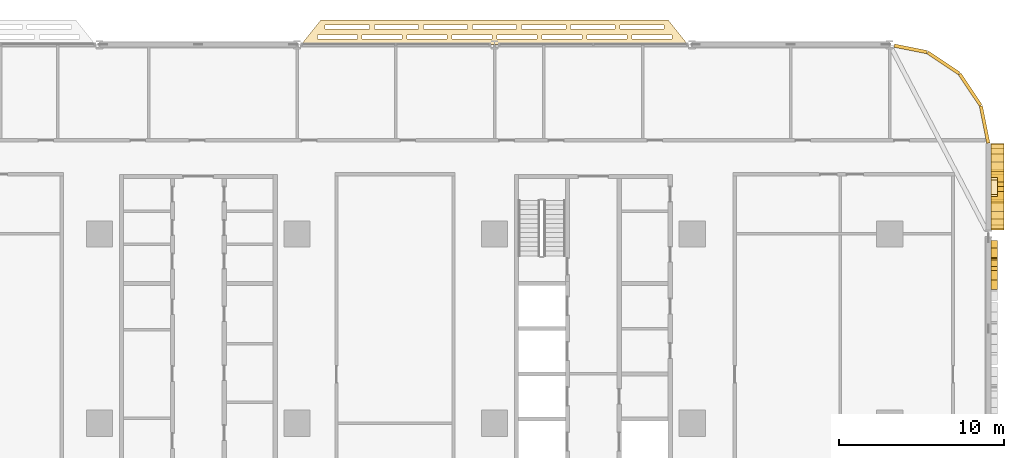
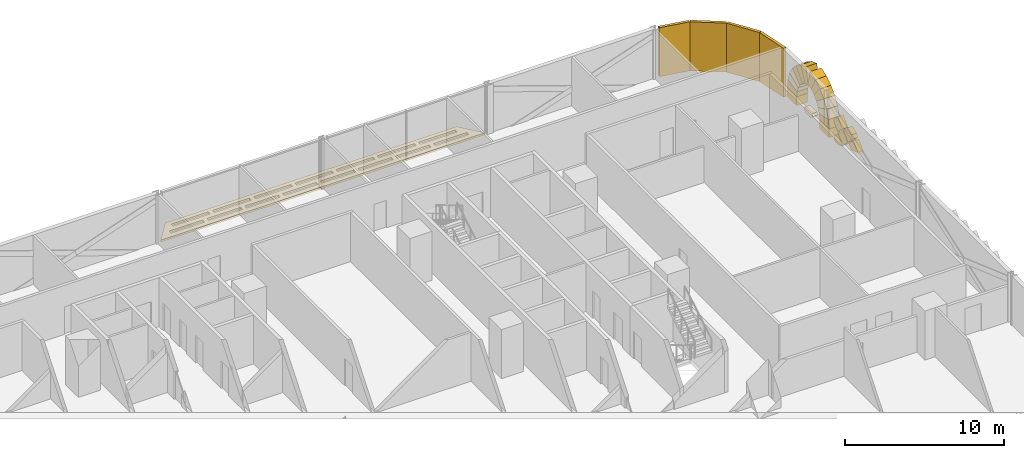
# One storey, part 29 of 29: 25 coverings.
"""IFC4 building model written with IfcOpenShell, lengths in metres."""

from ifc_helpers import new_model, si_unit, direction, frame, origin, origin_2d, place, context, subcontext, project, spatial, polyline, rectangle, outline, extrude, material, layer, layer_set, type_object, element, save


model = new_model("IFC4")

# Units and contexts
model_context = context("Model", 3, precision=1e-05, world=origin(), true_north=direction((0.0, 1.0)))
body_context = subcontext(model_context, "Body", "Model", "MODEL_VIEW")
ifc_project = project(units=[si_unit("LENGTHUNIT", "METRE"), si_unit("AREAUNIT", "SQUARE_METRE"), si_unit("VOLUMEUNIT", "CUBIC_METRE"), si_unit("PLANEANGLEUNIT", "RADIAN"), si_unit("MASSUNIT", "GRAM", prefix="KILO")], contexts=[model_context])

# Site, building, storey
site_placement = place(None, origin())
site = spatial("IfcSite", under=ifc_project, at=site_placement, CompositionType="ELEMENT")
building_placement = place(site_placement, origin())
building = spatial("IfcBuilding", under=site, at=building_placement, Name="Mahtab Terrace Research Tower", CompositionType="ELEMENT")
storey_placement = place(building_placement, frame((0.0, 0.0, 37.300048828125)))
storey = spatial("IfcBuildingStorey", under=building, at=storey_placement, Name="L08", CompositionType="ELEMENT", Elevation=37.300048828125)

# Coverings
ifc_material_1 = material(Name="Black aluminium cladding panel", Category="aluminium")
ifc_layer_1 = layer(ifc_material_1, 0.199951171875)
ifc_layer_set_1 = layer_set([ifc_layer_1], Name="Black metal corner cladding 200")
covering_type_1 = type_object("IfcCoveringType", Name="Black metal corner cladding 200", PredefinedType="CLADDING", material=ifc_layer_set_1)
for number, where, z_axis, x_axis, name in (
    (1, (46.89306640625, 20.26953125, 0.0), (0.0, 0.0, 1.0), (-0.555291490808, 0.831655794326, 0.0), "Corner cladding L08 0"),
    (2, (45.26953125, 21.89306640625, 0.0), (0.0, 0.0, 1.0), (-0.831655794326, 0.555291490808, 0.0), "Corner cladding L08 1"),
):
    element("IfcCovering", number, at=place(storey_placement, frame(where, z_axis=z_axis, x_axis=x_axis)), inside=storey, type_object=covering_type_1, Name=name, PredefinedType="CLADDING", context=body_context, shape_type="SweptSolid", body=[
        extrude(rectangle(XDim=2.30126953125, YDim=0.199951171875, at=origin_2d()), origin(), (0.0, 0.0, 1.0), 3.75),
    ])
covering_1_placement = place(storey_placement, frame((43.28173828125, 22.744873046875, 0.0), z_axis=(0.0, 0.0, 1.0), x_axis=(-0.980760981187, 0.195212442692, 0.0)))
element("IfcCovering", 3, at=covering_1_placement, inside=storey, type_object=covering_type_1, Name="Corner cladding L08 2", PredefinedType="CLADDING", context=body_context, shape_type="SweptSolid", body=[
    extrude(rectangle(XDim=2.0283203125, YDim=0.199951171875, at=origin_2d()), origin(), (0.0, 0.0, 1.0), 3.75),
])
covering_2_placement = place(storey_placement, frame((47.771484375, 18.14794921875, 0.0), z_axis=(0.0, 0.0, 1.0), x_axis=(-0.195212442692, 0.980760981187, 0.0)))
element("IfcCovering", 4, at=covering_2_placement, inside=storey, type_object=covering_type_1, Name="Corner cladding L08 37", PredefinedType="CLADDING", context=body_context, shape_type="SweptSolid", body=[
    extrude(rectangle(XDim=2.30126953125, YDim=0.199951171875, at=origin_2d()), origin(), (0.0, 0.0, 1.0), 3.75),
])
ifc_material_2 = material(Name="Black anodised aluminium", Category="aluminium")
ifc_layer_2 = layer(ifc_material_2, 0.14990234375)
ifc_layer_set_2 = layer_set([ifc_layer_2], Name="Horizontal sunshade band")
covering_type_2 = type_object("IfcCoveringType", Name="Horizontal sunshade band", PredefinedType="CLADDING", material=ifc_layer_set_2)
covering_3_placement = place(storey_placement, frame((0.0, 0.0, -0.150146484375)))
element("IfcCovering", 5, at=covering_3_placement, inside=storey, type_object=covering_type_2, Name="Sunshade band L08 4", PredefinedType="CLADDING", context=body_context, shape_type="SweptSolid", body=[
    extrude(outline(polyline([(29.7509765625, 23.0), (6.2490234375, 23.0), (7.448974609375, 24.5), (28.551025390625, 24.5), (29.7509765625, 23.0)]), holes=[polyline([(28.77099609375, 23.35009765625), (26.341064453125, 23.35009765625), (26.341064453125, 23.60009765625), (28.77099609375, 23.60009765625), (28.77099609375, 23.35009765625)]), polyline([(26.041015625, 23.35009765625), (23.611083984375, 23.35009765625), (23.611083984375, 23.60009765625), (26.041015625, 23.60009765625), (26.041015625, 23.35009765625)]), polyline([(23.31103515625, 23.35009765625), (20.8798828125, 23.35009765625), (20.8798828125, 23.60009765625), (23.31103515625, 23.60009765625), (23.31103515625, 23.35009765625)]), polyline([(20.580078125, 23.35009765625), (18.14990234375, 23.35009765625), (18.14990234375, 23.60009765625), (20.580078125, 23.60009765625), (20.580078125, 23.35009765625)]), polyline([(17.85009765625, 23.35009765625), (15.419921875, 23.35009765625), (15.419921875, 23.60009765625), (17.85009765625, 23.60009765625), (17.85009765625, 23.35009765625)]), polyline([(15.1201171875, 23.35009765625), (12.68994140625, 23.35009765625), (12.68994140625, 23.60009765625), (15.1201171875, 23.60009765625), (15.1201171875, 23.35009765625)]), polyline([(12.389892578125, 23.35009765625), (9.958984375, 23.35009765625), (9.958984375, 23.60009765625), (12.389892578125, 23.60009765625), (12.389892578125, 23.35009765625)]), polyline([(9.658935546875, 23.35009765625), (7.22900390625, 23.35009765625), (7.22900390625, 23.60009765625), (9.658935546875, 23.60009765625), (9.658935546875, 23.35009765625)]), polyline([(28.291015625, 23.949951171875), (25.60791015625, 23.949951171875), (25.60791015625, 24.199951171875), (28.291015625, 24.199951171875), (28.291015625, 23.949951171875)]), polyline([(25.30810546875, 23.949951171875), (22.625, 23.949951171875), (22.625, 24.199951171875), (25.30810546875, 24.199951171875), (25.30810546875, 23.949951171875)]), polyline([(22.324951171875, 23.949951171875), (19.64208984375, 23.949951171875), (19.64208984375, 24.199951171875), (22.324951171875, 24.199951171875), (22.324951171875, 23.949951171875)]), polyline([(19.342041015625, 23.949951171875), (16.657958984375, 23.949951171875), (16.657958984375, 24.199951171875), (19.342041015625, 24.199951171875), (19.342041015625, 23.949951171875)]), polyline([(16.35791015625, 23.949951171875), (13.675048828125, 23.949951171875), (13.675048828125, 24.199951171875), (16.35791015625, 24.199951171875), (16.35791015625, 23.949951171875)]), polyline([(13.375, 23.949951171875), (10.69189453125, 23.949951171875), (10.69189453125, 24.199951171875), (13.375, 24.199951171875), (13.375, 23.949951171875)]), polyline([(10.39208984375, 23.949951171875), (7.708984375, 23.949951171875), (7.708984375, 24.199951171875), (10.39208984375, 24.199951171875), (10.39208984375, 23.949951171875)])]), origin(), (0.0, 0.0, 1.0), 0.150146484375),
])
ifc_material_3 = material(Name="Bronze anodised aluminium", Category="aluminium")
ifc_layer_3 = layer(ifc_material_3, 0.39990234375)
ifc_layer_set_3 = layer_set([ifc_layer_3], Name="Mashrabiya relief panel 400")
covering_type_3 = type_object("IfcCoveringType", Name="Mashrabiya relief panel 400", PredefinedType="CLADDING", material=ifc_layer_set_3)
covering_4_placement = place(storey_placement, frame((48.14990234375, 8.698974609375, 1.6298828125), z_axis=(-1.0, 0.0, 0.0), x_axis=(0.0, 0.707255598772, -0.706957932274)))
element("IfcCovering", 6, at=covering_4_placement, inside=storey, type_object=covering_type_3, Name="Mashrabiya lattice cell L08 E35.15", PredefinedType="CLADDING", context=body_context, shape_type="SweptSolid", body=[
    extrude(outline(polyline([(0.0, 0.0), (0.8201817362875763, 0.0), (0.8200924218037394, 0.4243331127089831), (-0.000171434391677161, 0.8144847948580074), (0.0, 0.0)])), origin(), (0.0, 0.0, -1.0), 0.39990234375),
])
covering_5_placement = place(storey_placement, frame((48.14990234375, 9.928955078125, 1.699951171875), z_axis=(-1.0, 0.0, 0.0), x_axis=(0.0, -0.706957932274, -0.707255598772)))
element("IfcCovering", 7, at=covering_5_placement, inside=storey, type_object=covering_type_3, Name="Mashrabiya lattice cell L08 E35.16", PredefinedType="CLADDING", context=body_context, shape_type="SweptSolid", body=[
    extrude(outline(polyline([(0.0, 0.0), (0.8201817362875763, 0.0), (0.8200090664636573, 0.8203543334390104), (0.5372354136494529, 0.8202948146739475), (-0.00011903753012598717, 0.5655473056284087), (0.0, 0.0)])), origin(), (0.0, 0.0, -1.0), 0.39990234375),
])
covering_6_placement = place(storey_placement, frame((48.14990234375, 9.9990234375, 1.6298828125), z_axis=(-1.0, 0.0, 0.0), x_axis=(0.0, 0.707255598772, -0.706957932274)))
element("IfcCovering", 8, at=covering_6_placement, inside=storey, type_object=covering_type_3, Name="Mashrabiya lattice cell L08 E35.17", PredefinedType="CLADDING", context=body_context, shape_type="SweptSolid", body=[
    extrude(outline(polyline([(0.0, 0.0), (0.8201817362875763, 0.0), (0.8200090664636573, 0.8203543334390104), (-0.0003452669753531423, 0.8201816636150915), (0.0, 0.0)])), origin(), (0.0, 0.0, -1.0), 0.39990234375),
])
covering_7_placement = place(storey_placement, frame((48.14990234375, 10.069091796875, 0.39990234375), z_axis=(-1.0, 0.0, 0.0), x_axis=(0.0, 0.706957932274, 0.707255598772)))
element("IfcCovering", 9, at=covering_7_placement, inside=storey, type_object=covering_type_3, Name="Mashrabiya lattice cell L08 E35.18", PredefinedType="CLADDING", context=body_context, shape_type="SweptSolid", body=[
    extrude(outline(polyline([(0.0, 0.0), (0.8201817362875763, 0.0), (0.8200427138241264, 0.6604957238505165), (0.6601504568751633, 0.8203206860785415), (0.44539439820552335, 0.8202754837929869), (0.2629592091396244, 0.6377634799106391), (-1.7514068840263075e-05, 0.08320934106010165), (0.0, 0.0)])), origin(), (0.0, 0.0, -1.0), 0.39990234375),
])
covering_8_placement = place(storey_placement, frame((48.14990234375, 10.64892578125, 1.119873046875), z_axis=(-1.0, 0.0, 0.0), x_axis=(0.0, -0.706957932274, 0.707255598772)))
element("IfcCovering", 10, at=covering_8_placement, inside=storey, type_object=covering_type_3, Name="Mashrabiya lattice cell L08 E35.19", PredefinedType="CLADDING", context=body_context, shape_type="SweptSolid", body=[
    extrude(outline(polyline([(0.0, 0.0), (0.8201817362875763, 0.0), (0.8205270032629295, 0.8201816636150915), (0.16003127941241302, 0.8203206860785415), (0.00013902246344993374, 0.6604957238505165), (0.0, 0.0)])), origin(), (0.0, 0.0, -1.0), 0.39990234375),
])
covering_9_placement = place(storey_placement, frame((48.14990234375, 13.76904296875, 0.39990234375), z_axis=(-1.0, 0.0, 0.0), x_axis=(0.0, 0.707106781187, 0.707106781187)))
element("IfcCovering", 11, at=covering_9_placement, inside=storey, type_object=covering_type_3, Name="Mashrabiya lattice cell L08 E36.1", PredefinedType="CLADDING", context=body_context, shape_type="SweptSolid", body=[
    extrude(outline(polyline([(0.0, 0.0), (0.19369477746369784, 0.0), (0.820181718119455, 0.626486940655757), (0.820181718119455, 0.820181718119455), (0.44556704156310534, 0.820181718119455), (0.0, 0.37461467655634967), (0.0, 0.0)])), origin(), (0.0, 0.0, -1.0), 0.39990234375),
])
ifc_material_4 = material(Name="Glazed ceramic tile cladding", Category="masonry")
ifc_layer_4 = layer(ifc_material_4, 0.800048828125)
ifc_layer_set_4 = layer_set([ifc_layer_4], Name="Pishtaq frame arch course 800")
covering_type_4 = type_object("IfcCoveringType", Name="Pishtaq frame arch course 800", PredefinedType="CLADDING", material=ifc_layer_set_4)
covering_10_placement = place(storey_placement, frame((48.14990234375, 11.7490234375, 0.671875), z_axis=(-1.0, 0.0, 0.0), x_axis=(0.0, 0.110195146614, 0.993909970602)))
element("IfcCovering", 12, at=covering_10_placement, inside=storey, type_object=covering_type_4, Name="Pishtaq frame arch course 36a1", PredefinedType="CLADDING", context=body_context, shape_type="SweptSolid", body=[
    extrude(outline(polyline([(0.0, 0.0), (0.6801676314961773, -1.3877787807814457e-17), (0.5478837154732193, 1.1929849369831025), (0.13222879531472717, 1.1926434339624739), (0.0, 0.0)])), origin(), (0.0, 0.0, -1.0), 0.800048828125),
])
covering_11_placement = place(storey_placement, frame((48.14990234375, 11.823974609375, 1.347900390625), z_axis=(-1.0, 0.0, 0.0), x_axis=(0.0, 0.325381198062, 0.945582929175)))
element("IfcCovering", 13, at=covering_11_placement, inside=storey, type_object=covering_type_4, Name="Pishtaq frame arch course 36a2", PredefinedType="CLADDING", context=body_context, shape_type="SweptSolid", body=[
    extrude(outline(polyline([(0.0, 0.0), (0.6790412812444202, 0.0), (0.5470403803633785, 1.1928213951131352), (0.1324367168902943, 1.1929679837809), (0.0, 0.0)])), origin(), (0.0, 0.0, -1.0), 0.800048828125),
])
covering_12_placement = place(storey_placement, frame((48.14990234375, 12.044921875, 1.989990234375), z_axis=(-1.0, 0.0, 0.0), x_axis=(0.0, 0.525118389187, 0.851029187124)))
element("IfcCovering", 14, at=covering_12_placement, inside=storey, type_object=covering_type_4, Name="Pishtaq frame arch course 36a3", PredefinedType="CLADDING", context=body_context, shape_type="SweptSolid", body=[
    extrude(outline(polyline([(0.0, 0.0), (0.6801851577276807, 0.0), (0.5479203360201509, 1.1929737390110295), (0.13320649399408208, 1.1926873640778028), (0.0, 0.0)])), origin(), (0.0, 0.0, -1.0), 0.800048828125),
])
covering_13_placement = place(storey_placement, frame((48.14990234375, 12.402099609375, 2.56884765625), z_axis=(-1.0, 0.0, 0.0), x_axis=(0.0, 0.698795108876, 0.715321882659)))
element("IfcCovering", 15, at=covering_13_placement, inside=storey, type_object=covering_type_4, Name="Pishtaq frame arch course 36a4", PredefinedType="CLADDING", context=body_context, shape_type="SweptSolid", body=[
    extrude(outline(polyline([(0.0, 0.0), (0.6795318249848916, 0.0), (0.5475020101360037, 1.1928170207729754), (0.13228830883209008, 1.1929711347629608), (0.0, 0.0)])), origin(), (0.0, 0.0, -1.0), 0.800048828125),
])
covering_14_placement = place(storey_placement, frame((48.14990234375, 12.876953125, 3.054931640625), z_axis=(-1.0, 0.0, 0.0), x_axis=(0.0, 0.837646339472, 0.546212971256)))
element("IfcCovering", 16, at=covering_14_placement, inside=storey, type_object=covering_type_4, Name="Pishtaq frame arch course 36a5", PredefinedType="CLADDING", context=body_context, shape_type="SweptSolid", body=[
    extrude(outline(polyline([(0.0, 0.0), (0.6793938802782071, -5.551115123125783e-17), (0.5448521588144233, 1.193235816043659), (0.13056350986106346, 1.192978410092785), (0.0, 0.0)])), origin(), (0.0, 0.0, -1.0), 0.800048828125),
])
covering_15_placement = place(storey_placement, frame((48.14990234375, 13.446044921875, 3.426025390625), z_axis=(-1.0, 0.0, 0.0), x_axis=(0.0, 0.937956433213, 0.346753124563)))
element("IfcCovering", 17, at=covering_15_placement, inside=storey, type_object=covering_type_4, Name="Pishtaq frame arch course 36a6", PredefinedType="CLADDING", context=body_context, shape_type="SweptSolid", body=[
    extrude(outline(polyline([(0.0, 0.0), (0.6801376167757879, 0.0), (0.5495399418726914, 1.1925214945326406), (0.13355171437471614, 1.193347027101249), (0.0, 0.0)])), origin(), (0.0, 0.0, -1.0), 0.800048828125),
])
covering_16_placement = place(storey_placement, frame((48.14990234375, 15.800048828125, 0.671875), z_axis=(-1.0, 0.0, 0.0), x_axis=(0.0, -0.111011707821, 0.993819098592)))
element("IfcCovering", 18, at=covering_16_placement, inside=storey, type_object=covering_type_4, Name="Pishtaq frame arch course 36b1", PredefinedType="CLADDING", context=body_context, shape_type="SweptSolid", body=[
    extrude(outline(polyline([(0.0, 0.0), (0.4156550604482948, 0.0), (0.5469587730372103, 1.1930932190601509), (-0.13320862889221355, 1.1925343919874354), (0.0, 0.0)])), origin(), (0.0, 0.0, -1.0), 0.800048828125),
])
covering_17_placement = place(storey_placement, frame((48.14990234375, 15.75390625, 1.0849609375), z_axis=(-1.0, 0.0, 0.0), x_axis=(0.0, -0.32557334048, 0.945516789893)))
element("IfcCovering", 19, at=covering_17_placement, inside=storey, type_object=covering_type_4, Name="Pishtaq frame arch course 36b2", PredefinedType="CLADDING", context=body_context, shape_type="SweptSolid", body=[
    extrude(outline(polyline([(0.0, 0.0), (0.41468311080392084, 0.0), (0.5463621335411046, 1.1930790330617003), (-0.13267913368345122, 1.1929410470731379), (0.0, 0.0)])), origin(), (0.0, 0.0, -1.0), 0.800048828125),
])
covering_18_placement = place(storey_placement, frame((48.14990234375, 15.618896484375, 1.47705078125), z_axis=(-1.0, 0.0, 0.0), x_axis=(0.0, -0.525705930335, 0.850666371035)))
element("IfcCovering", 20, at=covering_18_placement, inside=storey, type_object=covering_type_4, Name="Pishtaq frame arch course 36b3", PredefinedType="CLADDING", context=body_context, shape_type="SweptSolid", body=[
    extrude(outline(polyline([(0.0, 0.0), (0.41471394090219044, 0.0), (0.5460265935082708, 1.1932724704312925), (-0.1341584020496253, 1.1928027780483883), (0.0, 0.0)])), origin(), (0.0, 0.0, -1.0), 0.800048828125),
])
covering_19_placement = place(storey_placement, frame((48.14990234375, 15.40087890625, 1.829833984375), z_axis=(-1.0, 0.0, 0.0), x_axis=(0.0, -0.69822828771, 0.715875169455)))
element("IfcCovering", 21, at=covering_19_placement, inside=storey, type_object=covering_type_4, Name="Pishtaq frame arch course 36b4", PredefinedType="CLADDING", context=body_context, shape_type="SweptSolid", body=[
    extrude(outline(polyline([(0.0, 0.0), (0.41504322723094267, 2.7755575615628914e-17), (0.5480178234970952, 1.1927120665955395), (-0.13151378831441152, 1.1932503194664719), (0.0, 0.0)])), origin(), (0.0, 0.0, -1.0), 0.800048828125),
])
covering_20_placement = place(storey_placement, frame((48.14990234375, 15.111083984375, 2.126953125), z_axis=(-1.0, 0.0, 0.0), x_axis=(0.0, -0.837985550936, 0.545692419245)))
element("IfcCovering", 22, at=covering_20_placement, inside=storey, type_object=covering_type_4, Name="Pishtaq frame arch course 36b5", PredefinedType="CLADDING", context=body_context, shape_type="SweptSolid", body=[
    extrude(outline(polyline([(0.0, 0.0), (0.4142887289191245, 0.0), (0.5480890429123778, 1.1933191792136424), (-0.13130470622962576, 1.1928970580803275), (0.0, 0.0)])), origin(), (0.0, 0.0, -1.0), 0.800048828125),
])
covering_21_placement = place(storey_placement, frame((48.14990234375, 14.763916015625, 2.35302734375), z_axis=(-1.0, 0.0, 0.0), x_axis=(0.0, -0.936980204786, 0.349382449242)))
element("IfcCovering", 23, at=covering_21_placement, inside=storey, type_object=covering_type_4, Name="Pishtaq frame arch course 36b6", PredefinedType="CLADDING", context=body_context, shape_type="SweptSolid", body=[
    extrude(outline(polyline([(0.0, 0.0), (0.41507388698109515, 0.0), (0.5499307356754715, 1.191809322733472), (-0.130204205993173, 1.1937169062409656), (0.0, 0.0)])), origin(), (0.0, 0.0, -1.0), 0.800048828125),
])
ifc_layer_5 = layer(ifc_material_4, 0.800048828125)
ifc_layer_set_5 = layer_set([ifc_layer_5], Name="Pishtaq frame pier 800")
covering_type_5 = type_object("IfcCoveringType", Name="Pishtaq frame pier 800", PredefinedType="CLADDING", material=ifc_layer_set_5)
for number, where, z_axis, x_axis, name in (
    (24, (48.550048828125, 12.34912109375, 0.0), (0.0, 0.0, 1.0), (0.0, 1.0, 0.0), "Pishtaq frame pier 36a"),
    (25, (48.550048828125, 16.39990234375, 0.0), (0.0, 0.0, 1.0), (0.0, 1.0, 0.0), "Pishtaq frame pier 36b"),
):
    element("IfcCovering", number, at=place(storey_placement, frame(where, z_axis=z_axis, x_axis=x_axis)), inside=storey, type_object=covering_type_5, Name=name, PredefinedType="CLADDING", context=body_context, shape_type="SweptSolid", body=[
        extrude(rectangle(XDim=1.199951171875, YDim=0.800048828125, at=origin_2d()), origin(), (0.0, 0.0, 1.0), 0.672119140625),
    ])

save(model, "model.ifc")
